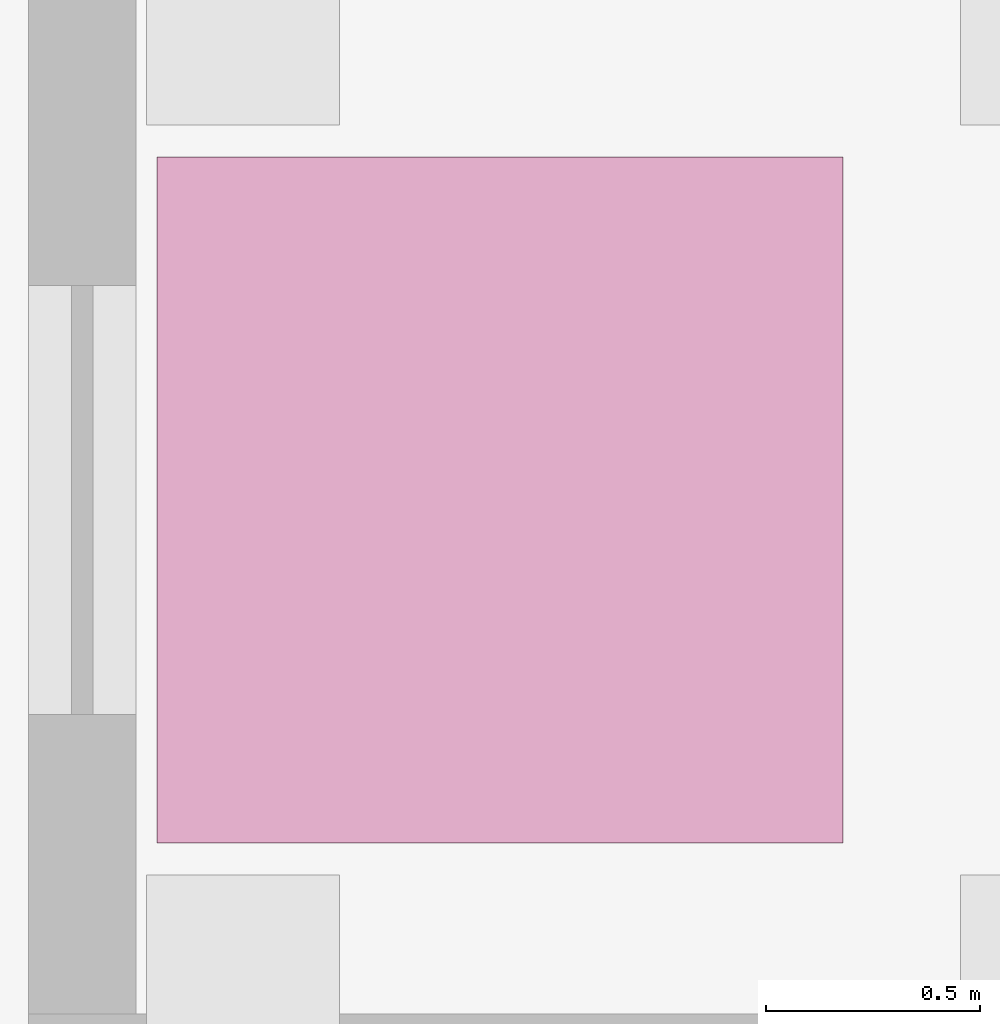
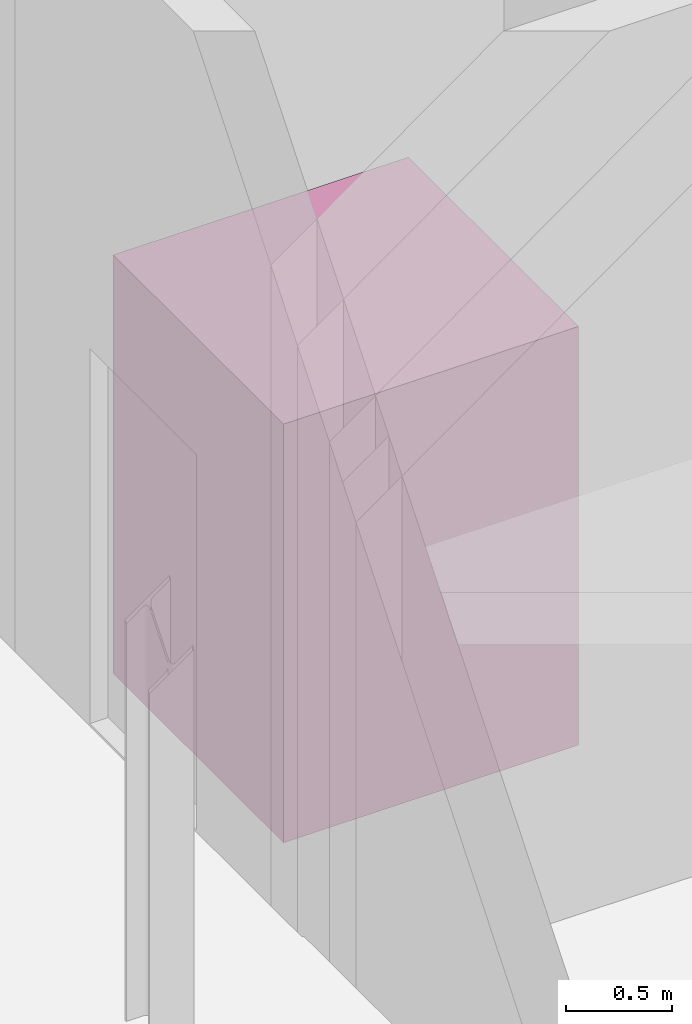
# One storey, part 91 of 91: 1 transport element.
"""IFC4 building model written with IfcOpenShell, lengths in metres."""

import ifcopenshell
import ifcopenshell.guid

model = None  # the IFC model being written
_history = None  # IfcOwnerHistory: only IFC2X3 demands one
_inside = {}  # id of a spatial element -> (the spatial element, [elements in it])
_under = {}  # id of a project, library or spatial element -> (it, [spatial elements below it])
_declared = {}  # id of a project -> (the project, [libraries it declares])
_typed = {}  # id of a type object -> (the type object, [elements of that type])
_made_of = {}  # id of a material, layer set ... -> (it, [elements and type objects made of it])


def new_model(schema):
    """Start an empty IFC model of exactly this schema.

    Asked for "IFC4X3", IfcOpenShell would pick the latest addendum, in which some entities
    have other attributes; the version numbers below select the first issue.
    IFC2X3 requires an IfcOwnerHistory on every rooted entity: one is made here for all.
    """
    global model, _history
    if schema == "IFC4X3":
        model = ifcopenshell.file(schema_version=(4, 3, 0, 0))
    else:
        model = ifcopenshell.file(schema=schema)
    _inside.clear()
    _under.clear()
    _declared.clear()
    _typed.clear()
    _made_of.clear()
    _history = None
    if model.schema == "IFC2X3":
        org = make("IfcOrganization", Name="unknown")
        user = make(
            "IfcPersonAndOrganization",
            ThePerson=make("IfcPerson", FamilyName="unknown"),
            TheOrganization=org,
        )
        app = make(
            "IfcApplication",
            ApplicationDeveloper=org,
            Version="unknown",
            ApplicationFullName="unknown",
            ApplicationIdentifier="unknown",
        )
        _history = make(
            "IfcOwnerHistory",
            OwningUser=user,
            OwningApplication=app,
            ChangeAction="ADDED",
            CreationDate=0,
        )
    return model


def make(cls, **values):
    """One entity of the class cls with the attributes given. An attribute that is None is left unset."""
    return model.create_entity(
        cls, **{name: value for name, value in values.items() if value is not None}
    )


def rooted(cls, **values):
    """An entity with a GlobalId (a new one), such as an element, a storey or a relation."""
    return make(cls, GlobalId=ifcopenshell.guid.new(), OwnerHistory=_history, **values)


def si_unit(unit_type, name, prefix=None):
    """IfcSIUnit, for example si_unit("LENGTHUNIT", "METRE", prefix="MILLI")."""
    return make("IfcSIUnit", UnitType=unit_type, Prefix=prefix, Name=name)


def assignment(units):
    """IfcUnitAssignment: the units of a project."""
    return None if units is None else make("IfcUnitAssignment", Units=units)


def point(xyz):
    """IfcCartesianPoint."""
    return None if xyz is None else make("IfcCartesianPoint", Coordinates=xyz)


def direction(xyz):
    """IfcDirection."""
    return None if xyz is None else make("IfcDirection", DirectionRatios=xyz)


def frame(location, z_axis=None, x_axis=None):
    """IfcAxis2Placement3D, a coordinate frame: its origin and axes. An axis left out is left unset."""
    return make(
        "IfcAxis2Placement3D",
        Location=point(location),
        Axis=direction(z_axis),
        RefDirection=direction(x_axis),
    )


def frame_2d(location, x_axis=None):
    """IfcAxis2Placement2D, a coordinate frame in the plane: its origin and x axis."""
    return make(
        "IfcAxis2Placement2D", Location=point(location), RefDirection=direction(x_axis)
    )


def origin():
    """The frame at (0, 0, 0) with its axes left unset."""
    return frame((0.0, 0.0, 0.0))


def origin_2d():
    """The frame at (0, 0) in the plane with its x axis left unset."""
    return frame_2d((0.0, 0.0))


def place(relative_to, where):
    """IfcLocalPlacement: puts the frame where relative to a parent placement (None: the world)."""
    return make(
        "IfcLocalPlacement", PlacementRelTo=relative_to, RelativePlacement=where
    )


def context(
    kind, dimensions, precision=None, world=None, true_north=None, identifier=None
):
    """IfcGeometricRepresentationContext, for example the 3D "Model" context."""
    return make(
        "IfcGeometricRepresentationContext",
        ContextIdentifier=identifier,
        ContextType=kind,
        CoordinateSpaceDimension=dimensions,
        Precision=precision,
        WorldCoordinateSystem=world,
        TrueNorth=true_north,
    )


def subcontext(parent, identifier, kind, view, scale=None):
    """IfcGeometricRepresentationSubContext, for example "Body" below "Model"."""
    return make(
        "IfcGeometricRepresentationSubContext",
        ContextIdentifier=identifier,
        ContextType=kind,
        ParentContext=parent,
        TargetScale=scale,
        TargetView=view,
    )


def project(units=None, contexts=None):
    """IfcProject with its units and contexts."""
    return rooted(
        "IfcProject",
        Name="project",
        RepresentationContexts=contexts,
        UnitsInContext=assignment(units),
    )


def spatial(cls, under=None, at=None, **own):
    """A site, building, storey or space (cls), placed at a placement, below another one or the project."""
    s = rooted(cls, ObjectPlacement=at, **own)
    if under is not None:
        _under.setdefault(under.id(), (under, []))[1].append(s)
    return s


def profile(cls, at=None, kind="AREA", **sizes):
    """A parametric profile (cls). Its sizes go by their IFC names, for example OverallWidth=200.0."""
    return make(cls, ProfileType=kind, Position=at, **sizes)


def rectangle(**sizes):
    """IfcRectangleProfileDef."""
    return profile("IfcRectangleProfileDef", **sizes)


def extrude(swept, where, along, depth):
    """IfcExtrudedAreaSolid: the profile swept, set in the frame where, extruded along a direction by depth."""
    return make(
        "IfcExtrudedAreaSolid",
        SweptArea=swept,
        Position=where,
        ExtrudedDirection=direction(along),
        Depth=depth,
    )


def shape(context_of_items, identifier, shape_type, items):
    """IfcShapeRepresentation: the items that make up one representation, for example the "Body"."""
    return make(
        "IfcShapeRepresentation",
        ContextOfItems=context_of_items,
        RepresentationIdentifier=identifier,
        RepresentationType=shape_type,
        Items=items,
    )


def material(Name=None, Category=None):
    """IfcMaterial."""
    return make("IfcMaterial", Name=Name, Category=Category)


def made_of(thing, what):
    """Note that an element or type object is made of a material, layer set ...; save() writes the relation."""
    if what is not None:
        _made_of.setdefault(what.id(), (what, []))[1].append(thing)
    return thing


def type_object(cls, material=None, **own):
    """A type object (cls), such as IfcWallType, which elements share."""
    return made_of(rooted(cls, **own), material)


def element(
    cls,
    number,
    at=None,
    inside=None,
    cuts=None,
    type_object=None,
    material=None,
    context=None,
    identifier="Body",
    shape_type=None,
    held_by="IfcProductDefinitionShape",
    body=None,
    shapes=None,
    **own,
):
    """One element of the class cls, such as IfcWall. Its Tag is "e" and its number.

    at: its placement. inside: the storey or other place that contains it. cuts: it is an
    opening in that element (IfcRelVoidsElement). A single representation is given by context,
    identifier, shape_type and body (its items); several are given by shapes. held_by: the class
    of the entity that holds the representations. save() writes the other relations.
    """
    e = rooted(cls, Tag="e%d" % number, ObjectPlacement=at, **own)
    if body is not None:
        shapes = [shape(context, identifier, shape_type, body)]
    if shapes is not None:
        e.Representation = make(held_by, Representations=shapes)
    if inside is not None:
        _inside.setdefault(inside.id(), (inside, []))[1].append(e)
    if cuts is not None:
        rooted(
            "IfcRelVoidsElement", RelatingBuildingElement=cuts, RelatedOpeningElement=e
        )
    if type_object is not None:
        _typed.setdefault(type_object.id(), (type_object, []))[1].append(e)
    return made_of(e, material)


def aggregate(whole, parts):
    """IfcRelAggregates: a whole, such as a stair, and the parts it consists of."""
    return rooted("IfcRelAggregates", RelatingObject=whole, RelatedObjects=parts)


def save(model, path):
    """Write the relations noted so far, then the file.

    IfcRelAggregates (storeys below a building ...), IfcRelContainedInSpatialStructure (elements
    in a storey), IfcRelDefinesByType, IfcRelAssociatesMaterial and IfcRelDeclares: one each for
    every whole, place, type object, material and project.
    """
    for whole, parts in _under.values():
        aggregate(whole, parts)
    for where, things in _inside.values():
        rooted(
            "IfcRelContainedInSpatialStructure",
            RelatedElements=things,
            RelatingStructure=where,
        )
    for kind, things in _typed.values():
        rooted("IfcRelDefinesByType", RelatedObjects=things, RelatingType=kind)
    for what, things in _made_of.values():
        rooted("IfcRelAssociatesMaterial", RelatedObjects=things, RelatingMaterial=what)
    for by, libraries in _declared.values():
        rooted("IfcRelDeclares", RelatingContext=by, RelatedDefinitions=libraries)
    model.write(path)


model = new_model("IFC4")

# Units and contexts
model_context = context("Model", 3, precision=1e-05, world=origin(), true_north=direction((0.0, 1.0)))
body_context = subcontext(model_context, "Body", "Model", "MODEL_VIEW")
ifc_project = project(units=[si_unit("LENGTHUNIT", "METRE"), si_unit("AREAUNIT", "SQUARE_METRE"), si_unit("VOLUMEUNIT", "CUBIC_METRE"), si_unit("PLANEANGLEUNIT", "RADIAN"), si_unit("MASSUNIT", "GRAM", prefix="KILO")], contexts=[model_context])

# Site, building, storey
site_placement = place(None, origin())
site = spatial("IfcSite", under=ifc_project, at=site_placement, CompositionType="ELEMENT")
building_placement = place(site_placement, origin())
building = spatial("IfcBuilding", under=site, at=building_placement, Name="Vinh Khe Railworks Police Headquarters", CompositionType="ELEMENT")
storey_placement = place(building_placement, origin())
storey = spatial("IfcBuildingStorey", under=building, at=storey_placement, Name="L00", CompositionType="ELEMENT", Elevation=0.0)

# Transport element
ifc_material = material(Name="Brushed stainless steel lift car", Category="steel")
transport_element_type = type_object("IfcTransportElementType", Name="LFT-PAX-1600x1600", PredefinedType="ELEVATOR", material=ifc_material)
transport_element_placement = place(storey_placement, frame((65.64990234375, 147.0, 0.0), z_axis=(0.0, 0.0, 1.0), x_axis=(1.0, 0.0, 0.0)))
element("IfcTransportElement", 1, at=transport_element_placement, inside=storey, type_object=transport_element_type, Name="Passenger Lift PL-05", PredefinedType="ELEVATOR", context=body_context, shape_type="SweptSolid", body=[
    extrude(rectangle(XDim=1.60009765625, YDim=1.60009765625, at=origin_2d()), origin(), (0.0, 0.0, 1.0), 2.39990234375),
])

save(model, "model.ifc")
